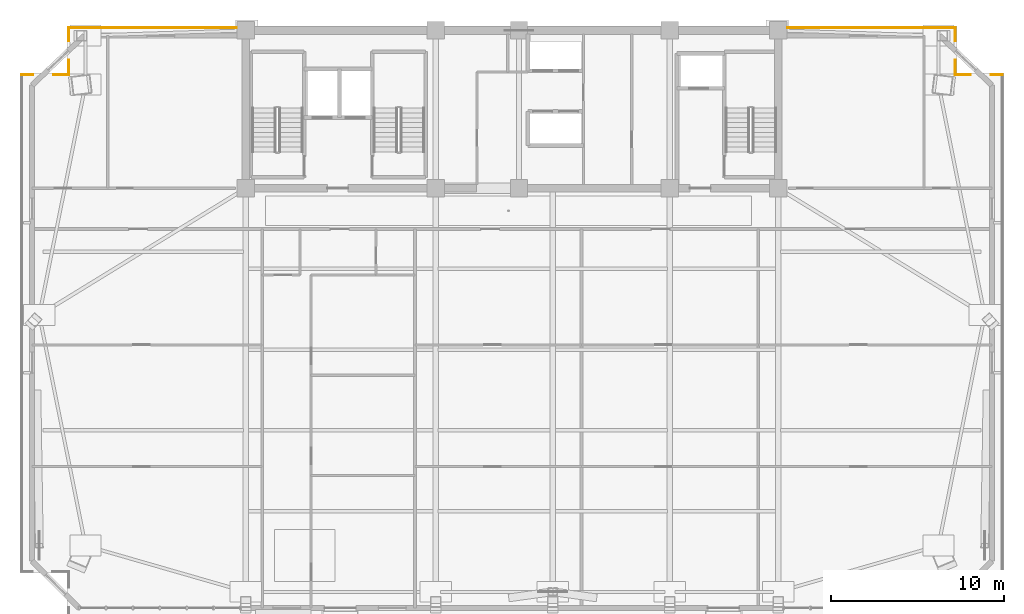
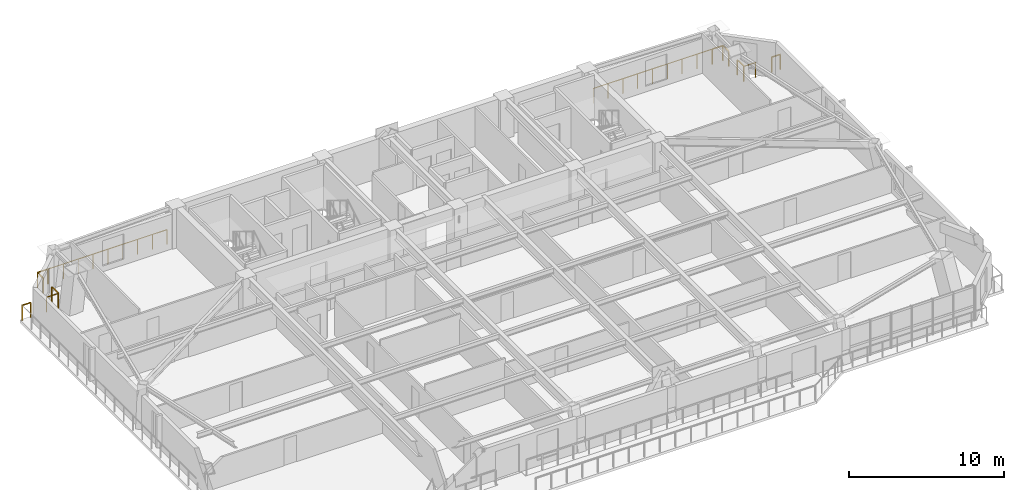
# One storey, part 16 of 16: 12 railings.
"""IFC4 building model written with IfcOpenShell, lengths in metres."""

from ifc_helpers import new_model, si_unit, direction, frame, origin, origin_2d, place, context, subcontext, project, spatial, rectangle, extrude, material, type_object, element, save


model = new_model("IFC4")

# Units and contexts
model_context = context("Model", 3, precision=1e-05, world=origin(), true_north=direction((0.0, 1.0)))
body_context = subcontext(model_context, "Body", "Model", "MODEL_VIEW")
ifc_project = project(units=[si_unit("LENGTHUNIT", "METRE"), si_unit("AREAUNIT", "SQUARE_METRE"), si_unit("VOLUMEUNIT", "CUBIC_METRE"), si_unit("PLANEANGLEUNIT", "RADIAN"), si_unit("MASSUNIT", "GRAM", prefix="KILO")], contexts=[model_context])

# Site, building, storey
site_placement = place(None, origin())
site = spatial("IfcSite", under=ifc_project, at=site_placement, CompositionType="ELEMENT")
building_placement = place(site_placement, origin())
building = spatial("IfcBuilding", under=site, at=building_placement, Name="Giltprow Tower", CompositionType="ELEMENT")
storey_placement = place(building_placement, frame((0.0, 0.0, 233.800048828125)))
storey = spatial("IfcBuildingStorey", under=building, at=storey_placement, Name="L59", CompositionType="ELEMENT", Elevation=233.800048828125)

# Railings
ifc_material = material(Name="Anodized bronze", Category="metal")
railing_type = type_object("IfcRailingType", Name="RAIL-BALC-GUARD-1200", PredefinedType="BALUSTRADE", material=ifc_material)
railing_1_placement = place(storey_placement, frame((6.93310546875, 43.992919921875, 0.0)))
element("IfcRailing", 1, at=railing_1_placement, inside=storey, type_object=railing_type, Name="L59 Corner Apron Edge Balustrade 14", PredefinedType="BALUSTRADE", context=body_context, shape_type="SweptSolid", body=[
    extrude(rectangle(XDim=0.048095703125, YDim=0.048095703125, at=origin_2d()), frame((0.0, 0.0, 1.17578125), z_axis=(1.0, 0.0, 0.0), x_axis=(0.0, 1.0, 0.0)), (0.0, 0.0, 1.0), 0.635986328125),
    extrude(rectangle(XDim=0.0419921875, YDim=0.0419921875, at=origin_2d()), origin(), (0.0, 0.0, 1.0), 1.15185546875),
    extrude(rectangle(XDim=0.0419921875, YDim=0.0419921875, at=origin_2d()), frame((0.635986328125, 0.0, 0.0)), (0.0, 0.0, 1.0), 1.15185546875),
])
railing_2_placement = place(storey_placement, frame((8.760009765625, 43.992919921875, 0.0)))
element("IfcRailing", 2, at=railing_2_placement, inside=storey, type_object=railing_type, Name="L59 Corner Apron Edge Balustrade 15", PredefinedType="BALUSTRADE", context=body_context, shape_type="SweptSolid", body=[
    extrude(rectangle(XDim=0.048095703125, YDim=0.048095703125, at=origin_2d()), frame((0.0, 0.0, 1.17578125), z_axis=(1.0, 0.0, 0.0), x_axis=(0.0, 1.0, 0.0)), (0.0, 0.0, 1.0), 0.8798828125),
    extrude(rectangle(XDim=0.0419921875, YDim=0.0419921875, at=origin_2d()), origin(), (0.0, 0.0, 1.0), 1.15185546875),
    extrude(rectangle(XDim=0.0419921875, YDim=0.0419921875, at=origin_2d()), frame((0.8798828125, 0.0, 0.0)), (0.0, 0.0, 1.0), 1.15185546875),
])
railing_3_placement = place(storey_placement, frame((9.639892578125, 43.992919921875, 0.0)))
element("IfcRailing", 3, at=railing_3_placement, inside=storey, type_object=railing_type, Name="L59 Corner Apron Edge Balustrade 16", PredefinedType="BALUSTRADE", context=body_context, shape_type="SweptSolid", body=[
    extrude(rectangle(XDim=0.048095703125, YDim=0.048095703125, at=origin_2d()), frame((0.0, 0.0, 1.17578125), z_axis=(0.0, 1.0, 0.0), x_axis=(-1.0, 0.0, 0.0)), (0.0, 0.0, 1.0), 0.836181640625),
    extrude(rectangle(XDim=0.0419921875, YDim=0.0419921875, at=origin_2d()), origin(), (0.0, 0.0, 1.0), 1.15185546875),
    extrude(rectangle(XDim=0.0419921875, YDim=0.0419921875, at=origin_2d()), frame((0.0, 0.836181640625, 0.0)), (0.0, 0.0, 1.0), 1.15185546875),
])
railing_4_placement = place(storey_placement, frame((9.639892578125, 45.9599609375, 0.0)))
element("IfcRailing", 4, at=railing_4_placement, inside=storey, type_object=railing_type, Name="L59 Corner Apron Edge Balustrade 17", PredefinedType="BALUSTRADE", context=body_context, shape_type="SweptSolid", body=[
    extrude(rectangle(XDim=0.048095703125, YDim=0.048095703125, at=origin_2d()), frame((0.0, 0.0, 1.17578125), z_axis=(0.0, 1.0, 0.0), x_axis=(-1.0, 0.0, 0.0)), (0.0, 0.0, 1.0), 0.739990234375),
    extrude(rectangle(XDim=0.0419921875, YDim=0.0419921875, at=origin_2d()), origin(), (0.0, 0.0, 1.0), 1.15185546875),
    extrude(rectangle(XDim=0.0419921875, YDim=0.0419921875, at=origin_2d()), frame((0.0, 0.739990234375, 0.0)), (0.0, 0.0, 1.0), 1.15185546875),
])
railing_5_placement = place(storey_placement, frame((9.639892578125, 46.699951171875, 0.0)))
element("IfcRailing", 5, at=railing_5_placement, inside=storey, type_object=railing_type, Name="L59 Corner Apron Edge Balustrade 18", PredefinedType="BALUSTRADE", context=body_context, shape_type="SweptSolid", body=[
    extrude(rectangle(XDim=0.048095703125, YDim=0.048095703125, at=origin_2d()), frame((0.0, 0.0, 1.17578125), z_axis=(1.0, 0.0, 0.0), x_axis=(0.0, 1.0, 0.0)), (0.0, 0.0, 1.0), 0.778076171875),
    extrude(rectangle(XDim=0.0419921875, YDim=0.0419921875, at=origin_2d()), origin(), (0.0, 0.0, 1.0), 1.15185546875),
    extrude(rectangle(XDim=0.0419921875, YDim=0.0419921875, at=origin_2d()), frame((0.778076171875, 0.0, 0.0)), (0.0, 0.0, 1.0), 1.15185546875),
])
for number, where, name in (
    (6, (10.470947265625, 46.699951171875, 0.0), "L59 Corner Apron Edge Balustrade 19"),
    (7, (51.0849609375, 46.699951171875, 0.0), "L59 Corner Apron Edge Balustrade 20"),
):
    element("IfcRailing", number, at=place(storey_placement, frame(where)), inside=storey, type_object=railing_type, Name=name, PredefinedType="BALUSTRADE", context=body_context, shape_type="SweptSolid", body=[
        extrude(rectangle(XDim=0.048095703125, YDim=0.048095703125, at=origin_2d()), frame((0.0, 0.0, 1.17578125), z_axis=(1.0, 0.0, 0.0), x_axis=(0.0, 1.0, 0.0)), (0.0, 0.0, 1.0), 8.843994140625),
        extrude(rectangle(XDim=0.0419921875, YDim=0.0419921875, at=origin_2d()), origin(), (0.0, 0.0, 1.0), 1.15185546875),
        extrude(rectangle(XDim=0.0419921875, YDim=0.0419921875, at=origin_2d()), frame((1.10546875, 0.0, 0.0)), (0.0, 0.0, 1.0), 1.15185546875),
        extrude(rectangle(XDim=0.0419921875, YDim=0.0419921875, at=origin_2d()), frame((2.2109375, 0.0, 0.0)), (0.0, 0.0, 1.0), 1.15185546875),
        extrude(rectangle(XDim=0.0419921875, YDim=0.0419921875, at=origin_2d()), frame((3.31640625, 0.0, 0.0)), (0.0, 0.0, 1.0), 1.15185546875),
        extrude(rectangle(XDim=0.0419921875, YDim=0.0419921875, at=origin_2d()), frame((4.421875, 0.0, 0.0)), (0.0, 0.0, 1.0), 1.15185546875),
        extrude(rectangle(XDim=0.0419921875, YDim=0.0419921875, at=origin_2d()), frame((5.527587890625, 0.0, 0.0)), (0.0, 0.0, 1.0), 1.15185546875),
        extrude(rectangle(XDim=0.0419921875, YDim=0.0419921875, at=origin_2d()), frame((6.633056640625, 0.0, 0.0)), (0.0, 0.0, 1.0), 1.15185546875),
        extrude(rectangle(XDim=0.0419921875, YDim=0.0419921875, at=origin_2d()), frame((7.738525390625, 0.0, 0.0)), (0.0, 0.0, 1.0), 1.15185546875),
        extrude(rectangle(XDim=0.0419921875, YDim=0.0419921875, at=origin_2d()), frame((8.843994140625, 0.0, 0.0)), (0.0, 0.0, 1.0), 1.15185546875),
    ])
railing_6_placement = place(storey_placement, frame((59.98193359375, 46.699951171875, 0.0)))
element("IfcRailing", 8, at=railing_6_placement, inside=storey, type_object=railing_type, Name="L59 Corner Apron Edge Balustrade 21", PredefinedType="BALUSTRADE", context=body_context, shape_type="SweptSolid", body=[
    extrude(rectangle(XDim=0.048095703125, YDim=0.048095703125, at=origin_2d()), frame((0.0, 0.0, 1.17578125), z_axis=(1.0, 0.0, 0.0), x_axis=(0.0, 1.0, 0.0)), (0.0, 0.0, 1.0), 0.778076171875),
    extrude(rectangle(XDim=0.0419921875, YDim=0.0419921875, at=origin_2d()), origin(), (0.0, 0.0, 1.0), 1.15185546875),
    extrude(rectangle(XDim=0.0419921875, YDim=0.0419921875, at=origin_2d()), frame((0.778076171875, 0.0, 0.0)), (0.0, 0.0, 1.0), 1.15185546875),
])
railing_7_placement = place(storey_placement, frame((60.760009765625, 46.699951171875, 0.0)))
element("IfcRailing", 9, at=railing_7_placement, inside=storey, type_object=railing_type, Name="L59 Corner Apron Edge Balustrade 22", PredefinedType="BALUSTRADE", context=body_context, shape_type="SweptSolid", body=[
    extrude(rectangle(XDim=0.048095703125, YDim=0.048095703125, at=origin_2d()), frame((0.0, 0.0, 1.17578125), z_axis=(0.0, -1.0, 0.0), x_axis=(1.0, 0.0, 0.0)), (0.0, 0.0, 1.0), 0.739990234375),
    extrude(rectangle(XDim=0.0419921875, YDim=0.0419921875, at=origin_2d()), origin(), (0.0, 0.0, 1.0), 1.15185546875),
    extrude(rectangle(XDim=0.0419921875, YDim=0.0419921875, at=origin_2d()), frame((0.0, -0.739990234375, 0.0)), (0.0, 0.0, 1.0), 1.15185546875),
])
railing_8_placement = place(storey_placement, frame((60.760009765625, 44.8291015625, 0.0)))
element("IfcRailing", 10, at=railing_8_placement, inside=storey, type_object=railing_type, Name="L59 Corner Apron Edge Balustrade 23", PredefinedType="BALUSTRADE", context=body_context, shape_type="SweptSolid", body=[
    extrude(rectangle(XDim=0.048095703125, YDim=0.048095703125, at=origin_2d()), frame((0.0, 0.0, 1.17578125), z_axis=(0.0, -1.0, 0.0), x_axis=(1.0, 0.0, 0.0)), (0.0, 0.0, 1.0), 0.836181640625),
    extrude(rectangle(XDim=0.0419921875, YDim=0.0419921875, at=origin_2d()), origin(), (0.0, 0.0, 1.0), 1.15185546875),
    extrude(rectangle(XDim=0.0419921875, YDim=0.0419921875, at=origin_2d()), frame((0.0, -0.836181640625, 0.0)), (0.0, 0.0, 1.0), 1.15185546875),
])
railing_9_placement = place(storey_placement, frame((60.760009765625, 43.992919921875, 0.0)))
element("IfcRailing", 11, at=railing_9_placement, inside=storey, type_object=railing_type, Name="L59 Corner Apron Edge Balustrade 24", PredefinedType="BALUSTRADE", context=body_context, shape_type="SweptSolid", body=[
    extrude(rectangle(XDim=0.048095703125, YDim=0.048095703125, at=origin_2d()), frame((0.0, 0.0, 1.17578125), z_axis=(1.0, 0.0, 0.0), x_axis=(0.0, 1.0, 0.0)), (0.0, 0.0, 1.0), 0.8798828125),
    extrude(rectangle(XDim=0.0419921875, YDim=0.0419921875, at=origin_2d()), origin(), (0.0, 0.0, 1.0), 1.15185546875),
    extrude(rectangle(XDim=0.0419921875, YDim=0.0419921875, at=origin_2d()), frame((0.8798828125, 0.0, 0.0)), (0.0, 0.0, 1.0), 1.15185546875),
])
railing_10_placement = place(storey_placement, frame((62.8310546875, 43.992919921875, 0.0)))
element("IfcRailing", 12, at=railing_10_placement, inside=storey, type_object=railing_type, Name="L59 Corner Apron Edge Balustrade 25", PredefinedType="BALUSTRADE", context=body_context, shape_type="SweptSolid", body=[
    extrude(rectangle(XDim=0.048095703125, YDim=0.048095703125, at=origin_2d()), frame((0.0, 0.0, 1.17578125), z_axis=(1.0, 0.0, 0.0), x_axis=(0.0, 1.0, 0.0)), (0.0, 0.0, 1.0), 0.635986328125),
    extrude(rectangle(XDim=0.0419921875, YDim=0.0419921875, at=origin_2d()), origin(), (0.0, 0.0, 1.0), 1.15185546875),
    extrude(rectangle(XDim=0.0419921875, YDim=0.0419921875, at=origin_2d()), frame((0.635986328125, 0.0, 0.0)), (0.0, 0.0, 1.0), 1.15185546875),
])

save(model, "model.ifc")
